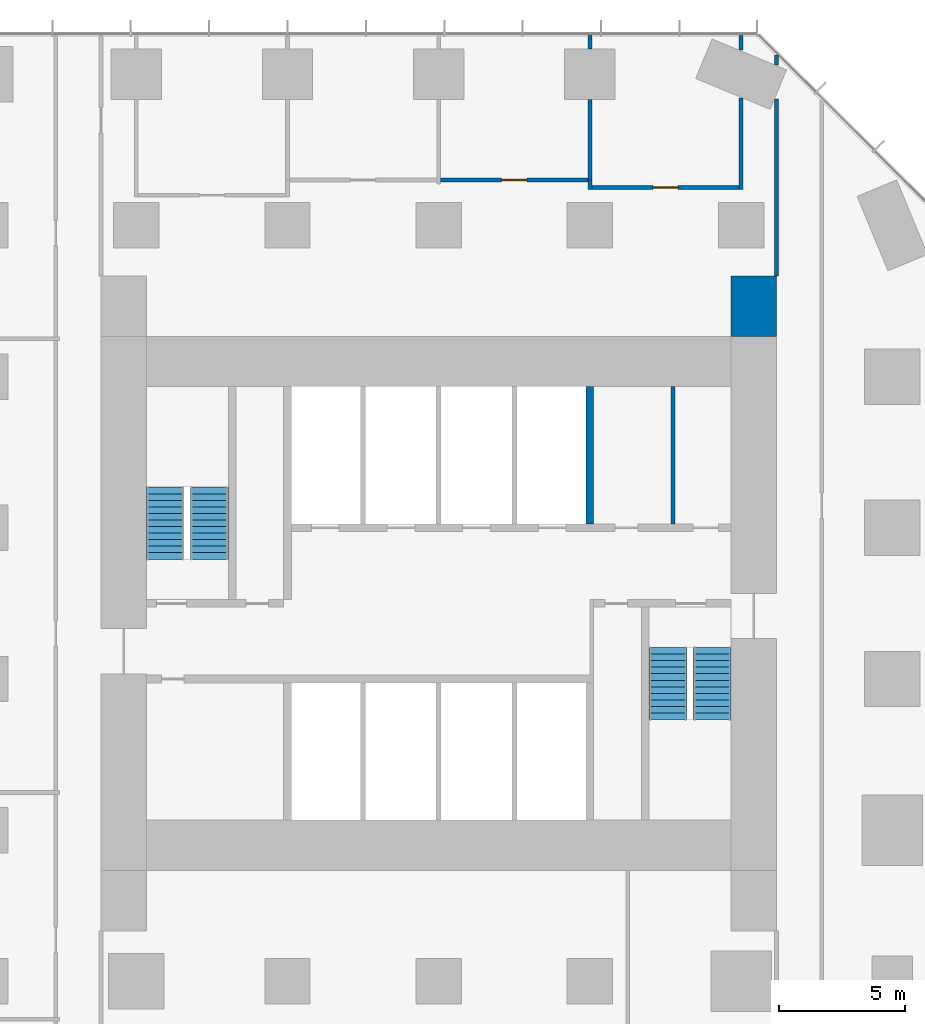
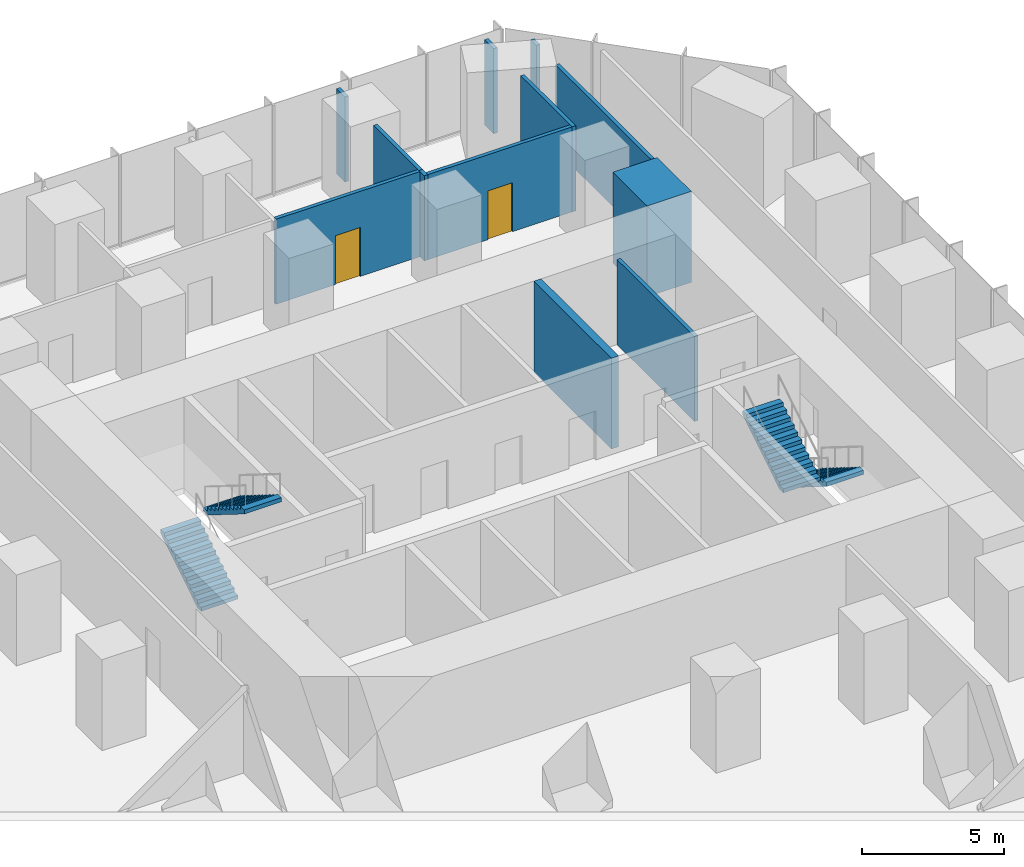
# One storey, part 10 of 11: 12 walls, 4 stair flights, 2 doors, 2 openings, 2 elements without a shape of their own.
"""IFC4 building model written with IfcOpenShell, lengths in metres."""

from ifc_helpers import new_model, si_unit, direction, frame, frame_2d, origin, place, context, subcontext, project, spatial, polyline, rectangle, outline, extrude, material, layer, layer_set, type_object, element, fill, aggregate, save


model = new_model("IFC4")

# Units and contexts
model_context = context("Model", 3, precision=1e-05, world=origin(), true_north=direction((0.0, 1.0)))
body_context = subcontext(model_context, "Body", "Model", "MODEL_VIEW")
ifc_project = project(units=[si_unit("LENGTHUNIT", "METRE"), si_unit("AREAUNIT", "SQUARE_METRE"), si_unit("VOLUMEUNIT", "CUBIC_METRE"), si_unit("PLANEANGLEUNIT", "RADIAN"), si_unit("MASSUNIT", "GRAM", prefix="KILO")], contexts=[model_context])

# Site, building, storey
site_placement = place(None, origin())
site = spatial("IfcSite", under=ifc_project, at=site_placement, CompositionType="ELEMENT")
building_placement = place(site_placement, origin())
building = spatial("IfcBuilding", under=site, at=building_placement, Name="Highveld Stack Headquarters", CompositionType="ELEMENT")
storey_placement = place(building_placement, frame((0.0, 0.0, 33.800048828125)))
storey = spatial("IfcBuildingStorey", under=building, at=storey_placement, Name="L07", CompositionType="ELEMENT", Elevation=33.800048828125)

# Walls
ifc_material_1 = material(Name="Concrete C60/75", Category="concrete")
ifc_layer_1 = layer(ifc_material_1, 0.300048828125)
ifc_layer_set_1 = layer_set([ifc_layer_1], Name="Concrete C60/75")
wall_type_1 = type_object("IfcWallType", Name="CORE WALL 300 C60/75", PredefinedType="SHEAR", material=ifc_layer_set_1)
wall_1_placement = place(storey_placement, frame((12.0, 6.14990234375, 0.0), z_axis=(0.0, 0.0, 1.0), x_axis=(0.0, 1.0, 0.0)))
element("IfcWall", 1, at=wall_1_placement, inside=storey, type_object=wall_type_1, Name="Core wall I-X12N L07", PredefinedType="SHEAR", context=body_context, shape_type="SweptSolid", body=[
    extrude(rectangle(XDim=5.4501953125, YDim=0.300048828125, at=frame_2d((2.72509765625, 0.0))), origin(), (0.0, 0.0, 1.0), 3.89990234375),
])
ifc_material_2 = material(Name="Concrete C60/75", Category="concrete")
ifc_layer_2 = layer(ifc_material_2, 1.800048828125)
ifc_layer_set_2 = layer_set([ifc_layer_2], Name="Concrete C60/75")
wall_type_2 = type_object("IfcWallType", Name="CORE WING WALL 1800 C60/75", PredefinedType="SHEAR", material=ifc_layer_set_2)
wall_2_placement = place(storey_placement, frame((18.5, 13.60009765625, 0.0), z_axis=(0.0, 0.0, 1.0), x_axis=(0.0, 1.0, 0.0)))
element("IfcWall", 2, at=wall_2_placement, inside=storey, type_object=wall_type_2, Name="Core wing wall EN L07", PredefinedType="SHEAR", context=body_context, shape_type="SweptSolid", body=[
    extrude(rectangle(XDim=2.39990234375, YDim=1.800048828125, at=frame_2d((1.199951171875, 0.0))), origin(), (0.0, 0.0, 1.0), 3.89990234375),
])

# Wall, opening, door
ifc_material_3 = material(Name="Gypsum plasterboard on steel studs", Category="steel")
ifc_layer_3 = layer(ifc_material_3, 0.14990234375)
ifc_layer_set_3 = layer_set([ifc_layer_3], Name="Gypsum plasterboard on steel studs")
wall_type_3 = type_object("IfcWallType", Name="PARTITION 150 PLASTERBOARD", PredefinedType="PARTITIONING", material=ifc_layer_set_3)
wall_3_placement = place(storey_placement, frame((12.074951171875, 19.5, 0.0), z_axis=(0.0, 0.0, 1.0), x_axis=(1.0, 0.0, 0.0)))
wall_3 = element("IfcWall", 3, at=wall_3_placement, inside=storey, type_object=wall_type_3, Name="Partition Quiet room L07", PredefinedType="PARTITIONING", context=body_context, shape_type="SweptSolid", body=[
    extrude(rectangle(XDim=5.85009765625, YDim=0.14990234375, at=frame_2d((2.925048828125, 0.0))), origin(), (0.0, 0.0, 1.0), 3.64990234375),
])
opening_1_placement = place(wall_3_placement, frame((2.425048828125, 0.0, 0.0)))
opening_1 = element("IfcOpeningElement", 4, at=opening_1_placement, cuts=wall_3, Name="Opening L07-18", PredefinedType="OPENING", context=body_context, shape_type="SweptSolid", body=[
    extrude(rectangle(XDim=1.0, YDim=2.10009765625, at=frame_2d((0.5, 1.050048828125))), frame((0.0, 0.0849609375, 0.0), z_axis=(0.0, -1.0, 0.0), x_axis=(1.0, 0.0, 0.0)), (0.0, 0.0, 1.0), 0.169921875),
])
ifc_material_4 = material(Name="Timber door, oiled ash", Category="wood")
door_type = type_object("IfcDoorType", Name="ROOM DOOR D6 1000x2100", OperationType="SINGLE_SWING_LEFT", PredefinedType="DOOR", material=ifc_material_4)
door_1_placement = place(opening_1_placement, origin())
door_1 = element("IfcDoor", 5, at=door_1_placement, inside=storey, type_object=door_type, Name="Quiet room door 1 L07", OperationType="SINGLE_SWING_LEFT", OverallHeight=2.10009765625, OverallWidth=1.0, PredefinedType="DOOR", context=body_context, shape_type="SweptSolid", body=[
    extrude(rectangle(XDim=1.0, YDim=2.10009765625, at=frame_2d((0.5, 1.050048828125))), frame((0.0, 0.02490234375, 0.0), z_axis=(0.0, -1.0, 0.0), x_axis=(1.0, 0.0, 0.0)), (0.0, 0.0, 1.0), 0.050048828125),
])
fill(opening_1, door_1)

wall_4_placement = place(storey_placement, frame((6.074951171875, 19.800048828125, 0.0), z_axis=(0.0, 0.0, 1.0), x_axis=(1.0, 0.0, 0.0)))
wall_4 = element("IfcWall", 6, at=wall_4_placement, inside=storey, type_object=wall_type_3, Name="Partition Print room L07", PredefinedType="PARTITIONING", context=body_context, shape_type="SweptSolid", body=[
    extrude(rectangle(XDim=5.85009765625, YDim=0.14990234375, at=frame_2d((2.925048828125, 0.0))), origin(), (0.0, 0.0, 1.0), 3.64990234375),
])
opening_2_placement = place(wall_4_placement, frame((2.425048828125, 0.0, 0.0)))
opening_2 = element("IfcOpeningElement", 7, at=opening_2_placement, cuts=wall_4, Name="Opening L07-17", PredefinedType="OPENING", context=body_context, shape_type="SweptSolid", body=[
    extrude(rectangle(XDim=1.0, YDim=2.10009765625, at=frame_2d((0.5, 1.050048828125))), frame((0.0, 0.0849609375, 0.0), z_axis=(0.0, -1.0, 0.0), x_axis=(1.0, 0.0, 0.0)), (0.0, 0.0, 1.0), 0.169921875),
])
door_2_placement = place(opening_2_placement, origin())
door_2 = element("IfcDoor", 8, at=door_2_placement, inside=storey, type_object=door_type, Name="Print room door 1 L07", OperationType="SINGLE_SWING_LEFT", OverallHeight=2.10009765625, OverallWidth=1.0, PredefinedType="DOOR", context=body_context, shape_type="SweptSolid", body=[
    extrude(rectangle(XDim=1.0, YDim=2.10009765625, at=frame_2d((0.5, 1.050048828125))), frame((0.0, 0.02490234375, 0.0), z_axis=(0.0, -1.0, 0.0), x_axis=(1.0, 0.0, 0.0)), (0.0, 0.0, 1.0), 0.050048828125),
])
fill(opening_2, door_2)

# Walls
wall_5_placement = place(storey_placement, frame((12.0, 19.425048828125, 0.0), z_axis=(0.0, 0.0, 1.0), x_axis=(0.0, 1.0, 0.0)))
element("IfcWall", 9, at=wall_5_placement, inside=storey, type_object=wall_type_3, Name="Partition Quiet room L07", PredefinedType="PARTITIONING", context=body_context, shape_type="SweptSolid", body=[
    extrude(rectangle(XDim=0.375, YDim=0.14990234375, at=frame_2d((0.1875, 0.0))), origin(), (0.0, 0.0, 1.0), 3.64990234375),
])
wall_6_placement = place(storey_placement, frame((12.0, 19.800048828125, 0.0), z_axis=(0.0, 0.0, 1.0), x_axis=(0.0, 1.0, 0.0)))
element("IfcWall", 10, at=wall_6_placement, inside=storey, type_object=wall_type_3, Name="Partition Print room / Quiet room L07", PredefinedType="PARTITIONING", context=body_context, shape_type="SweptSolid", body=[
    extrude(rectangle(XDim=3.199951171875, YDim=0.14990234375, at=frame_2d((1.60009765625, 0.0))), origin(), (0.0, 0.0, 1.0), 3.64990234375),
])
wall_7_placement = place(storey_placement, frame((12.0, 25.0, 0.0), z_axis=(0.0, 0.0, 1.0), x_axis=(0.0, 1.0, 0.0)))
element("IfcWall", 11, at=wall_7_placement, inside=storey, type_object=wall_type_3, Name="Partition Print room / Quiet room L07", PredefinedType="PARTITIONING", context=body_context, shape_type="SweptSolid", body=[
    extrude(rectangle(XDim=0.60009765625, YDim=0.14990234375, at=frame_2d((0.300048828125, 0.0))), origin(), (0.0, 0.0, 1.0), 3.64990234375),
])
wall_8_placement = place(storey_placement, frame((18.0, 19.425048828125, 0.0), z_axis=(0.0, 0.0, 1.0), x_axis=(0.0, 1.0, 0.0)))
element("IfcWall", 12, at=wall_8_placement, inside=storey, type_object=wall_type_3, Name="Partition Quiet room L07", PredefinedType="PARTITIONING", context=body_context, shape_type="SweptSolid", body=[
    extrude(rectangle(XDim=3.623779296875, YDim=0.14990234375, at=frame_2d((1.81201171875, 0.0))), origin(), (0.0, 0.0, 1.0), 3.64990234375),
])
wall_9_placement = place(storey_placement, frame((18.0, 24.951171875, 0.0), z_axis=(0.0, 0.0, 1.0), x_axis=(0.0, 1.0, 0.0)))
element("IfcWall", 13, at=wall_9_placement, inside=storey, type_object=wall_type_3, Name="Partition Quiet room L07", PredefinedType="PARTITIONING", context=body_context, shape_type="SweptSolid", body=[
    extrude(rectangle(XDim=0.64892578125, YDim=0.14990234375, at=frame_2d((0.324462890625, 0.0))), origin(), (0.0, 0.0, 1.0), 3.64990234375),
])
wall_10_placement = place(storey_placement, frame((19.39990234375, 16.0, 0.0), z_axis=(0.0, 0.0, 1.0), x_axis=(0.0, 1.0, 0.0)))
element("IfcWall", 14, at=wall_10_placement, inside=storey, type_object=wall_type_3, Name="Partition office neighbourhood L07", PredefinedType="PARTITIONING", context=body_context, shape_type="SweptSolid", body=[
    extrude(rectangle(XDim=7.017822265625, YDim=0.14990234375, at=frame_2d((3.5087890625, 0.0))), origin(), (0.0, 0.0, 1.0), 3.64990234375),
])
wall_11_placement = place(storey_placement, frame((19.39990234375, 24.37109375, 0.0), z_axis=(0.0, 0.0, 1.0), x_axis=(0.0, 1.0, 0.0)))
element("IfcWall", 15, at=wall_11_placement, inside=storey, type_object=wall_type_3, Name="Partition office neighbourhood L07", PredefinedType="PARTITIONING", context=body_context, shape_type="SweptSolid", body=[
    extrude(rectangle(XDim=0.39990234375, YDim=0.14990234375, at=frame_2d((0.199951171875, 0.0))), origin(), (0.0, 0.0, 1.0), 3.64990234375),
])
ifc_material_5 = material(Name="Concrete blockwork, tiled", Category="masonry")
ifc_layer_4 = layer(ifc_material_5, 0.14990234375)
ifc_layer_set_4 = layer_set([ifc_layer_4], Name="Concrete blockwork, tiled")
wall_type_4 = type_object("IfcWallType", Name="WC PARTITION 150", PredefinedType="PLUMBINGWALL", material=ifc_layer_set_4)
wall_12_placement = place(storey_placement, frame((15.300048828125, 6.14990234375, 0.0), z_axis=(0.0, 0.0, 1.0), x_axis=(0.0, 1.0, 0.0)))
element("IfcWall", 16, at=wall_12_placement, inside=storey, type_object=wall_type_4, Name="Toilet partition L07", PredefinedType="PLUMBINGWALL", context=body_context, shape_type="SweptSolid", body=[
    extrude(rectangle(XDim=5.4501953125, YDim=0.14990234375, at=frame_2d((2.72509765625, 0.0))), origin(), (0.0, 0.0, 1.0), 3.64990234375),
])

# Stair, stair flights
ifc_material_6 = material(Name="Concrete C40/50, precast", Category="concrete")
stair_type_1 = type_object("IfcStairType", Name="STAIR S1 HALF TURN 1500", PredefinedType="HALF_TURN_STAIR", material=ifc_material_6)
stair_1_placement = place(storey_placement, origin())
stair_1 = element("IfcStair", 17, at=stair_1_placement, inside=storey, type_object=stair_type_1, Name="Stair S1 L07", PredefinedType="HALF_TURN_STAIR")
ifc_material_7 = material(Name="Concrete C40/50, precast", Category="concrete")
stair_flight_type = type_object("IfcStairFlightType", Name="STAIR FLIGHT 1500 PRECAST", PredefinedType="STRAIGHT", material=ifc_material_7)
stair_flight_1_placement = place(storey_placement, frame((-4.85009765625, 4.75, 0.0), z_axis=(0.0, 0.0, 1.0), x_axis=(0.0, 1.0, 0.0)))
stair_flight_1 = element("IfcStairFlight", 18, at=stair_flight_1_placement, type_object=stair_flight_type, Name="S1 flight 1", NumberOfRisers=12, NumberOfTreads=11, PredefinedType="STRAIGHT", RiserHeight=0.1625, TreadLength=0.26, context=body_context, shape_type="SweptSolid", body=[
    extrude(outline(polyline([(0.0, 0.0), (0.0, 0.16259765625), (0.260009765625, 0.16259765625), (0.260009765625, 0.324951171875), (0.52001953125, 0.324951171875), (0.52001953125, 0.487548828125), (0.780029296875, 0.487548828125), (0.780029296875, 0.64990234375), (1.0400390625, 0.64990234375), (1.0400390625, 0.8125), (1.300048828125, 0.8125), (1.300048828125, 0.97509765625), (1.56005859375, 0.97509765625), (1.56005859375, 1.137451171875), (1.820068359375, 1.137451171875), (1.820068359375, 1.300048828125), (2.080078125, 1.300048828125), (2.080078125, 1.46240234375), (2.340087890625, 1.46240234375), (2.340087890625, 1.625), (2.60009765625, 1.625), (2.60009765625, 1.78759765625), (2.860107421875, 1.78759765625), (2.860107421875, 1.949951171875), (2.860107421875, 1.61083984375), (0.28271484375, 0.0), (0.0, 0.0)])), frame((0.0, 0.75, 0.0), z_axis=(0.0, -1.0, 0.0), x_axis=(1.0, 0.0, 0.0)), (0.0, 0.0, 1.0), 1.5),
])
stair_flight_2_placement = place(storey_placement, frame((-3.10009765625, 7.610107421875, 1.949951171875), z_axis=(0.0, 0.0, 1.0), x_axis=(0.0, -1.0, 0.0)))
stair_flight_2 = element("IfcStairFlight", 19, at=stair_flight_2_placement, type_object=stair_flight_type, Name="S1 flight 2", NumberOfRisers=12, NumberOfTreads=11, PredefinedType="STRAIGHT", RiserHeight=0.1625, TreadLength=0.26, context=body_context, shape_type="SweptSolid", body=[
    extrude(outline(polyline([(0.0, 0.0), (0.0, 0.16259765625), (0.260009765625, 0.16259765625), (0.260009765625, 0.324951171875), (0.52001953125, 0.324951171875), (0.52001953125, 0.487548828125), (0.780029296875, 0.487548828125), (0.780029296875, 0.64990234375), (1.0400390625, 0.64990234375), (1.0400390625, 0.8125), (1.300048828125, 0.8125), (1.300048828125, 0.97509765625), (1.56005859375, 0.97509765625), (1.56005859375, 1.137451171875), (1.820068359375, 1.137451171875), (1.820068359375, 1.300048828125), (2.080078125, 1.300048828125), (2.080078125, 1.46240234375), (2.340087890625, 1.46240234375), (2.340087890625, 1.625), (2.60009765625, 1.625), (2.60009765625, 1.78759765625), (2.860107421875, 1.78759765625), (2.860107421875, 1.949951171875), (2.860107421875, 1.61083984375), (0.28271484375, 0.0), (0.0, 0.0)])), frame((0.0, 0.75, 0.0), z_axis=(0.0, -1.0, 0.0), x_axis=(1.0, 0.0, 0.0)), (0.0, 0.0, 1.0), 1.5),
])
aggregate(stair_1, [stair_flight_1, stair_flight_2])

ifc_material_8 = material(Name="Concrete C40/50, precast", Category="concrete")
stair_type_2 = type_object("IfcStairType", Name="STAIR S2 HALF TURN 1500", PredefinedType="HALF_TURN_STAIR", material=ifc_material_8)
stair_2_placement = place(storey_placement, origin())
stair_2 = element("IfcStair", 20, at=stair_2_placement, inside=storey, type_object=stair_type_2, Name="Stair S2 L07", PredefinedType="HALF_TURN_STAIR")
stair_flight_3_placement = place(storey_placement, frame((16.85009765625, 1.25, 0.0), z_axis=(0.0, 0.0, 1.0), x_axis=(0.0, -1.0, 0.0)))
stair_flight_3 = element("IfcStairFlight", 21, at=stair_flight_3_placement, type_object=stair_flight_type, Name="S2 flight 1", NumberOfRisers=12, NumberOfTreads=11, PredefinedType="STRAIGHT", RiserHeight=0.1625, TreadLength=0.26, context=body_context, shape_type="SweptSolid", body=[
    extrude(outline(polyline([(0.0, 0.0), (0.0, 0.16259765625), (0.260009765625, 0.16259765625), (0.260009765625, 0.324951171875), (0.52001953125, 0.324951171875), (0.52001953125, 0.487548828125), (0.780029296875, 0.487548828125), (0.780029296875, 0.64990234375), (1.0400390625, 0.64990234375), (1.0400390625, 0.8125), (1.300048828125, 0.8125), (1.300048828125, 0.97509765625), (1.56005859375, 0.97509765625), (1.56005859375, 1.137451171875), (1.820068359375, 1.137451171875), (1.820068359375, 1.300048828125), (2.080078125, 1.300048828125), (2.080078125, 1.46240234375), (2.340087890625, 1.46240234375), (2.340087890625, 1.625), (2.60009765625, 1.625), (2.60009765625, 1.78759765625), (2.860107421875, 1.78759765625), (2.860107421875, 1.949951171875), (2.860107421875, 1.61083984375), (0.28271484375, 0.0), (0.0, 0.0)])), frame((0.0, 0.75, 0.0), z_axis=(0.0, -1.0, 0.0), x_axis=(1.0, 0.0, 0.0)), (0.0, 0.0, 1.0), 1.5),
])
stair_flight_4_placement = place(storey_placement, frame((15.10009765625, -1.610107421875, 1.949951171875), z_axis=(0.0, 0.0, 1.0), x_axis=(0.0, 1.0, 0.0)))
stair_flight_4 = element("IfcStairFlight", 22, at=stair_flight_4_placement, type_object=stair_flight_type, Name="S2 flight 2", NumberOfRisers=12, NumberOfTreads=11, PredefinedType="STRAIGHT", RiserHeight=0.1625, TreadLength=0.26, context=body_context, shape_type="SweptSolid", body=[
    extrude(outline(polyline([(0.0, 0.0), (0.0, 0.16259765625), (0.260009765625, 0.16259765625), (0.260009765625, 0.324951171875), (0.52001953125, 0.324951171875), (0.52001953125, 0.487548828125), (0.780029296875, 0.487548828125), (0.780029296875, 0.64990234375), (1.0400390625, 0.64990234375), (1.0400390625, 0.8125), (1.300048828125, 0.8125), (1.300048828125, 0.97509765625), (1.56005859375, 0.97509765625), (1.56005859375, 1.137451171875), (1.820068359375, 1.137451171875), (1.820068359375, 1.300048828125), (2.080078125, 1.300048828125), (2.080078125, 1.46240234375), (2.340087890625, 1.46240234375), (2.340087890625, 1.625), (2.60009765625, 1.625), (2.60009765625, 1.78759765625), (2.860107421875, 1.78759765625), (2.860107421875, 1.949951171875), (2.860107421875, 1.61083984375), (0.28271484375, 0.0), (0.0, 0.0)])), frame((0.0, 0.75, 0.0), z_axis=(0.0, -1.0, 0.0), x_axis=(1.0, 0.0, 0.0)), (0.0, 0.0, 1.0), 1.5),
])
aggregate(stair_2, [stair_flight_3, stair_flight_4])

save(model, "model.ifc")
